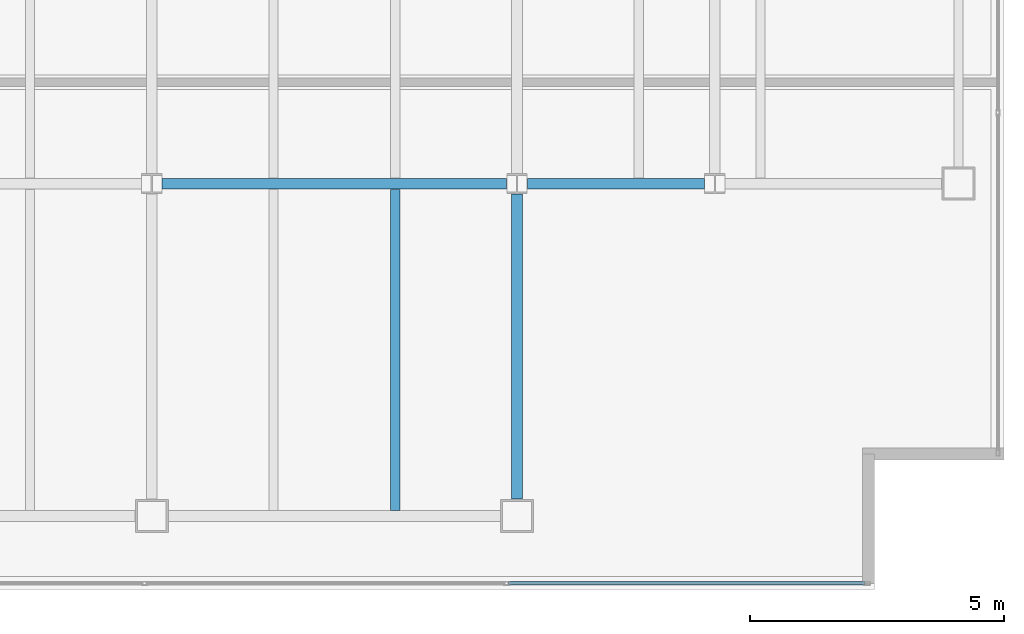
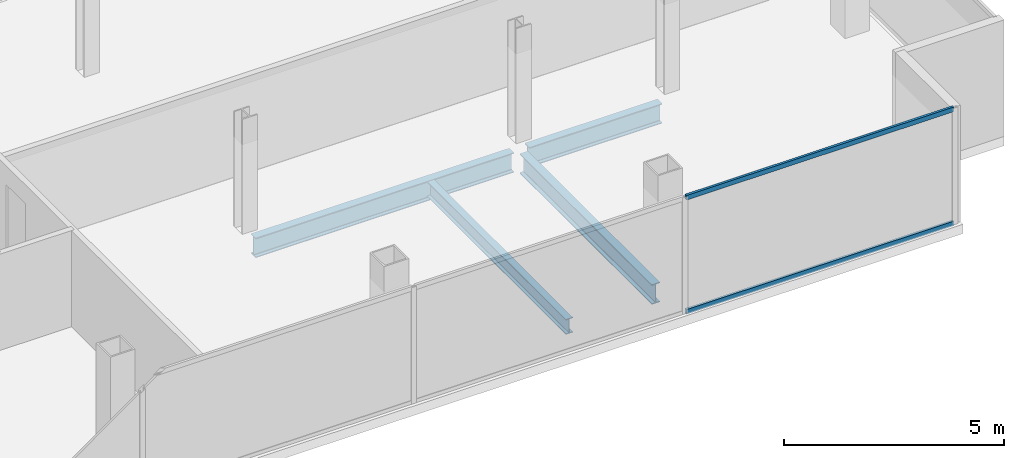
# One storey, part 13 of 23: 4 beams, 2 members, 1 element without a shape of its own.
"""IFC4 building model written with IfcOpenShell, lengths in metres."""

from ifc_helpers import new_model, si_unit, direction, frame, origin, origin_2d, place, context, subcontext, project, spatial, hollow_rectangle, i_section, extrude, material, material_profile, profile_set, type_object, element, aggregate, save


model = new_model("IFC4")

# Units and contexts
model_context = context("Model", 3, precision=1e-05, world=origin(), true_north=direction((0.0, 1.0)))
body_context = subcontext(model_context, "Body", "Model", "MODEL_VIEW")
ifc_project = project(units=[si_unit("LENGTHUNIT", "METRE"), si_unit("AREAUNIT", "SQUARE_METRE"), si_unit("VOLUMEUNIT", "CUBIC_METRE"), si_unit("PLANEANGLEUNIT", "RADIAN"), si_unit("MASSUNIT", "GRAM", prefix="KILO")], contexts=[model_context])

# Site, building, storey
site_placement = place(None, origin())
site = spatial("IfcSite", under=ifc_project, at=site_placement, CompositionType="ELEMENT")
building_placement = place(site_placement, origin())
building = spatial("IfcBuilding", under=site, at=building_placement, Name="Cobrela Telecom Tower", CompositionType="ELEMENT")
storey_placement = place(building_placement, frame((0.0, 0.0, 251.64990234375)))
storey = spatial("IfcBuildingStorey", under=building, at=storey_placement, Name="L65", CompositionType="ELEMENT", Elevation=251.64990234375)

# Beams
ifc_material_1 = material(Name="Steel ASTM A992 Grade 50", Category="steel")
ifc_material_profile_1 = material_profile(ifc_material_1, i_section(OverallWidth=0.212890625, OverallDepth=0.549072265625, WebThickness=0.0146484375, FlangeThickness=0.023681640625, FilletRadius=0.013916015625, at=origin_2d()), Name="W21X93")
ifc_profile_set_1 = profile_set([ifc_material_profile_1], Name="Steel ASTM A992 Grade 50")
beam_type_1 = type_object("IfcBeamType", Name="BM-GIRD-08", PredefinedType="USERDEFINED", material=ifc_profile_set_1)
beam_1_placement = place(storey_placement, frame((29.00439453125, 14.39990234375, -0.534423828125), z_axis=(1.0, 0.0, 0.0), x_axis=(0.0, 1.0, 0.0)))
element("IfcBeam", 1, at=beam_1_placement, inside=storey, type_object=beam_type_1, Name="L65 Primary Girder X07", ObjectType="GIRDER", PredefinedType="USERDEFINED", context=body_context, shape_type="SweptSolid", body=[
    extrude(i_section(OverallWidth=0.212890625, OverallDepth=0.549072265625, WebThickness=0.0146484375, FlangeThickness=0.023681640625, FilletRadius=0.013916015625, at=origin_2d()), origin(), (0.0, 0.0, 1.0), 6.791015625),
])
beam_2_placement = place(storey_placement, frame((36.20458984375, 14.39990234375, -0.534423828125), z_axis=(1.0, 0.0, 0.0), x_axis=(0.0, 1.0, 0.0)))
element("IfcBeam", 2, at=beam_2_placement, inside=storey, type_object=beam_type_1, Name="L65 Primary Girder X08", ObjectType="GIRDER", PredefinedType="USERDEFINED", context=body_context, shape_type="SweptSolid", body=[
    extrude(i_section(OverallWidth=0.212890625, OverallDepth=0.549072265625, WebThickness=0.0146484375, FlangeThickness=0.023681640625, FilletRadius=0.013916015625, at=origin_2d()), origin(), (0.0, 0.0, 1.0), 3.490966796875),
])
beam_3_placement = place(storey_placement, frame((36.0, 8.179931640625, -0.534423828125), z_axis=(0.0, 1.0, 0.0), x_axis=(-1.0, 0.0, 0.0)))
element("IfcBeam", 3, at=beam_3_placement, inside=storey, type_object=beam_type_1, Name="L65 Primary Girder Y31", ObjectType="GIRDER", PredefinedType="USERDEFINED", context=body_context, shape_type="SweptSolid", body=[
    extrude(i_section(OverallWidth=0.212890625, OverallDepth=0.549072265625, WebThickness=0.0146484375, FlangeThickness=0.023681640625, FilletRadius=0.013916015625, at=origin_2d()), origin(), (0.0, 0.0, 1.0), 6.015625),
])
ifc_material_profile_2 = material_profile(ifc_material_1, i_section(OverallWidth=0.179931640625, OverallDepth=0.4169921875, WebThickness=0.010986328125, FlangeThickness=0.01806640625, FilletRadius=0.011962890625, at=origin_2d()), Name="W16X57")
ifc_profile_set_2 = profile_set([ifc_material_profile_2], Name="Steel ASTM A992 Grade 50")
beam_type_2 = type_object("IfcBeamType", Name="BM-JOIST-04", PredefinedType="JOIST", material=ifc_profile_set_2)
beam_4_placement = place(storey_placement, frame((33.60009765625, 7.96142578125, -0.468505859375), z_axis=(0.0, 1.0, 0.0), x_axis=(-1.0, 0.0, 0.0)))
element("IfcBeam", 4, at=beam_4_placement, inside=storey, type_object=beam_type_2, Name="L65 Secondary Composite Floor Beam J13", PredefinedType="JOIST", context=body_context, shape_type="SweptSolid", body=[
    extrude(i_section(OverallWidth=0.179931640625, OverallDepth=0.4169921875, WebThickness=0.010986328125, FlangeThickness=0.01806640625, FilletRadius=0.011962890625, at=origin_2d()), origin(), (0.0, 0.0, 1.0), 6.3271484375),
])

# Curtain wall, members
ifc_material_2 = material(Name="Anodized Bronze Aluminium 6063-T6", Category="aluminium")
curtain_wall_type = type_object("IfcCurtainWallType", Name="CW-SYS-OFF-HI", PredefinedType="USERDEFINED", material=ifc_material_2)
curtain_wall_placement = place(storey_placement, origin())
curtain_wall = element("IfcCurtainWall", 5, at=curtain_wall_placement, inside=storey, type_object=curtain_wall_type, Name="L65 Unitised Bronze Curtain Wall 15", ObjectType="UNITISED CURTAIN WALL", PredefinedType="USERDEFINED")
ifc_material_profile_3 = material_profile(ifc_material_2, hollow_rectangle(XDim=0.06494140625, YDim=0.1298828125, WallThickness=0.00390625, at=origin_2d()), Name="ALU 65x130x4")
ifc_profile_set_3 = profile_set([ifc_material_profile_3], Name="Anodized Bronze Aluminium 6063-T6")
member_type = type_object("IfcMemberType", Name="CW-SYS-OFF-HI-TRN", PredefinedType="USERDEFINED", material=ifc_profile_set_3)
member_1_placement = place(storey_placement, frame((42.860107421875, 6.52001953125, 0.03271484375), z_axis=(-1.0, 0.0, 0.0), x_axis=(0.0, -1.0, 0.0)))
member_1 = element("IfcMember", 6, at=member_1_placement, type_object=member_type, Name="CW-OFF-HI transom 1.1", ObjectType="TRANSOM", PredefinedType="USERDEFINED", context=body_context, shape_type="SweptSolid", body=[
    extrude(hollow_rectangle(XDim=0.06494140625, YDim=0.1298828125, WallThickness=0.00390625, at=origin_2d()), origin(), (0.0, 0.0, 1.0), 7.030029296875),
])
member_2_placement = place(storey_placement, frame((42.860107421875, 6.52001953125, 3.20751953125), z_axis=(-1.0, 0.0, 0.0), x_axis=(0.0, -1.0, 0.0)))
member_2 = element("IfcMember", 7, at=member_2_placement, type_object=member_type, Name="CW-OFF-HI transom 1.2", ObjectType="TRANSOM", PredefinedType="USERDEFINED", context=body_context, shape_type="SweptSolid", body=[
    extrude(hollow_rectangle(XDim=0.06494140625, YDim=0.1298828125, WallThickness=0.00390625, at=origin_2d()), origin(), (0.0, 0.0, 1.0), 7.030029296875),
])
aggregate(curtain_wall, [member_1, member_2])

save(model, "model.ifc")
